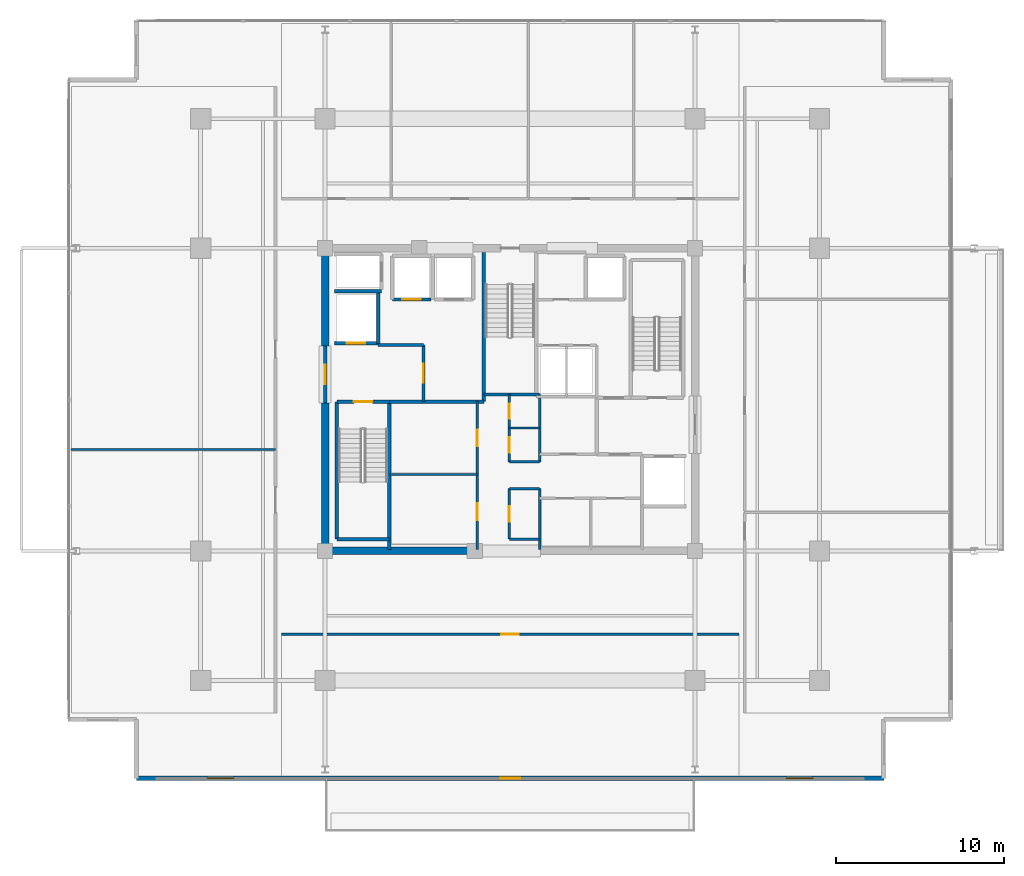
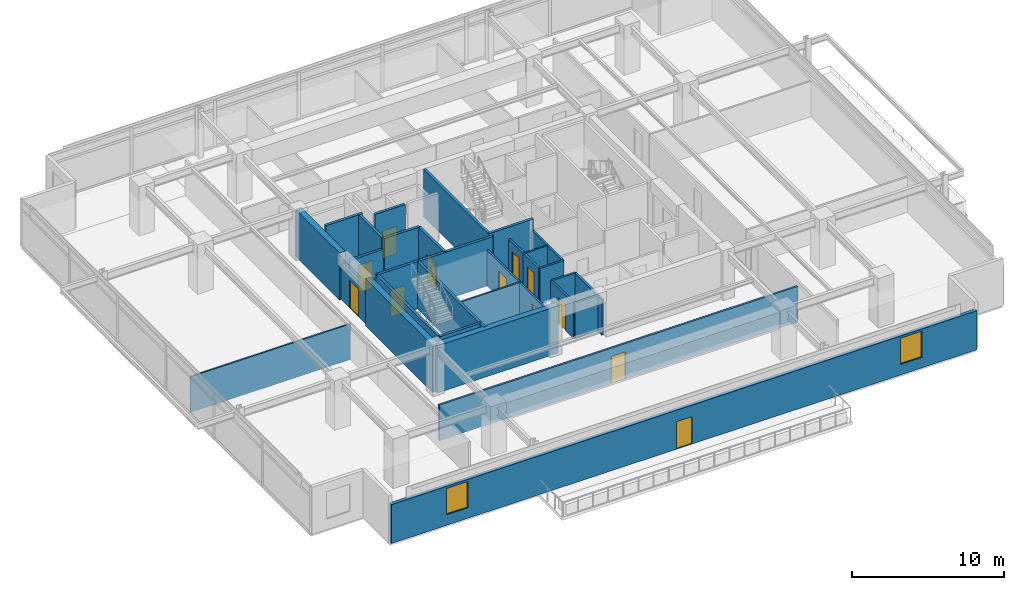
# One storey, part 16 of 23: 32 walls, 12 doors, 2 windows, 14 openings.
"""IFC4 building model written with IfcOpenShell, lengths in metres."""

from ifc_helpers import new_model, si_unit, direction, frame, frame_2d, origin, place, context, subcontext, project, spatial, rectangle, extrude, material, layer, layer_set, type_object, element, fill, save


model = new_model("IFC4")

# Units and contexts
model_context = context("Model", 3, precision=1e-05, world=origin(), true_north=direction((0.0, 1.0)))
body_context = subcontext(model_context, "Body", "Model", "MODEL_VIEW")
ifc_project = project(units=[si_unit("LENGTHUNIT", "METRE"), si_unit("AREAUNIT", "SQUARE_METRE"), si_unit("VOLUMEUNIT", "CUBIC_METRE"), si_unit("PLANEANGLEUNIT", "RADIAN"), si_unit("MASSUNIT", "GRAM", prefix="KILO")], contexts=[model_context])

# Site, building, storey
site_placement = place(None, origin())
site = spatial("IfcSite", under=ifc_project, at=site_placement, CompositionType="ELEMENT")
building_placement = place(site_placement, origin())
building = spatial("IfcBuilding", under=site, at=building_placement, Name="Kovane Verandah Tower", CompositionType="ELEMENT")
storey_placement = place(building_placement, frame((0.0, 0.0, 267.199951171875)))
storey = spatial("IfcBuildingStorey", under=building, at=storey_placement, Name="L62", CompositionType="ELEMENT", Elevation=267.199951171875)

# Walls
ifc_material_1 = material(Name="Fire-Rated Gypsum Stud Partition", Category="gypsum")
ifc_layer_1 = layer(ifc_material_1, 0.14990234375)
ifc_layer_set_1 = layer_set([ifc_layer_1], Name="Fire-Rated Gypsum Stud Partition")
wall_type_1 = type_object("IfcWallType", Name="WL-COR-150", PredefinedType="PARTITIONING", material=ifc_layer_set_1)
for number, where, z_axis, x_axis, name in (
    (1, (39.949951171875, 19.199951171875, 0.0), (0.0, 0.0, 1.0), (1.0, 0.0, 0.0), "L62 Central Core Strip South Wall"),
    (2, (39.949951171875, 22.199951171875, 0.0), (0.0, 0.0, 1.0), (1.0, 0.0, 0.0), "L62 Core Cross-Passage South Wall"),
    (3, (39.949951171875, 23.800048828125, 0.0), (0.0, 0.0, 1.0), (1.0, 0.0, 0.0), "L62 Core Cross-Passage North Wall"),
):
    element("IfcWall", number, at=place(storey_placement, frame(where, z_axis=z_axis, x_axis=x_axis)), inside=storey, type_object=wall_type_1, Name=name, PredefinedType="PARTITIONING", context=body_context, shape_type="SweptSolid", body=[
        extrude(rectangle(XDim=1.81005859375, YDim=0.14990234375, at=frame_2d((0.905029296875, 0.0))), origin(), (0.0, 0.0, 1.0), 2.85009765625),
    ])
wall_1_placement = place(storey_placement, frame((41.760009765625, 18.60009765625, 0.0), z_axis=(0.0, 0.0, 1.0), x_axis=(0.0, 1.0, 0.0)))
element("IfcWall", 4, at=wall_1_placement, inside=storey, type_object=wall_type_1, Name="L62 Central Core Strip Lower East Wall", PredefinedType="PARTITIONING", context=body_context, shape_type="SweptSolid", body=[
    extrude(rectangle(XDim=3.599853515625, YDim=0.14990234375, at=frame_2d((1.7998046875, 0.0))), origin(), (0.0, 0.0, 1.0), 2.85009765625),
])
wall_2_placement = place(storey_placement, frame((41.760009765625, 23.800048828125, 0.0), z_axis=(0.0, 0.0, 1.0), x_axis=(0.0, 1.0, 0.0)))
element("IfcWall", 5, at=wall_2_placement, inside=storey, type_object=wall_type_1, Name="L62 Central Core Strip Upper East Wall", PredefinedType="PARTITIONING", context=body_context, shape_type="SweptSolid", body=[
    extrude(rectangle(XDim=4.0, YDim=0.14990234375, at=frame_2d((2.0, 0.0))), origin(), (0.0, 0.0, 1.0), 2.85009765625),
])

# Wall, opening, door
wall_3_placement = place(storey_placement, frame((39.949951171875, 19.199951171875, 0.0), z_axis=(0.0, 0.0, 1.0), x_axis=(0.0, 1.0, 0.0)))
wall_3 = element("IfcWall", 6, at=wall_3_placement, inside=storey, type_object=wall_type_1, Name="L62 Male Toilet Partition", PredefinedType="PARTITIONING", context=body_context, shape_type="SweptSolid", body=[
    extrude(rectangle(XDim=3.0, YDim=0.14990234375, at=frame_2d((1.5, 0.0))), origin(), (0.0, 0.0, 1.0), 2.85009765625),
])
opening_1_placement = place(wall_3_placement, frame((1.050048828125, 0.0, 0.0)))
opening_1 = element("IfcOpeningElement", 7, at=opening_1_placement, cuts=wall_3, Name="Opening DR-L62-029", PredefinedType="OPENING", context=body_context, shape_type="SweptSolid", body=[
    extrude(rectangle(XDim=0.89990234375, YDim=2.10009765625, at=frame_2d((0.449951171875, 1.050048828125))), frame((0.0, 0.074951171875, 0.0), z_axis=(0.0, -1.0, 0.0), x_axis=(1.0, 0.0, 0.0)), (0.0, 0.0, 1.0), 0.14990234375),
])
ifc_material_2 = material(Name="Moisture-Resistant Laminate Washroom Door", Category="wood")
door_type_1 = type_object("IfcDoorType", Name="DR-WC-900", OperationType="SINGLE_SWING_LEFT", PredefinedType="DOOR", material=ifc_material_2)
door_1_placement = place(opening_1_placement, origin())
door_1 = element("IfcDoor", 8, at=door_1_placement, inside=storey, type_object=door_type_1, Name="L62 Male Toilet Door", OperationType="SINGLE_SWING_LEFT", OverallHeight=2.10009765625, OverallWidth=0.89990234375, PredefinedType="DOOR", context=body_context, shape_type="SweptSolid", body=[
    extrude(rectangle(XDim=0.89990234375, YDim=2.10009765625, at=frame_2d((0.449951171875, 1.050048828125))), frame((0.0, 0.02490234375, 0.0), z_axis=(0.0, -1.0, 0.0), x_axis=(1.0, 0.0, 0.0)), (0.0, 0.0, 1.0), 0.050048828125),
])
fill(opening_1, door_1)

wall_4_placement = place(storey_placement, frame((39.949951171875, 23.800048828125, 0.0), z_axis=(0.0, 0.0, 1.0), x_axis=(0.0, 1.0, 0.0)))
wall_4 = element("IfcWall", 9, at=wall_4_placement, inside=storey, type_object=wall_type_1, Name="L62 Female Toilet Partition", PredefinedType="PARTITIONING", context=body_context, shape_type="SweptSolid", body=[
    extrude(rectangle(XDim=2.0, YDim=0.14990234375, at=frame_2d((1.0, 0.0))), origin(), (0.0, 0.0, 1.0), 2.85009765625),
])
opening_2_placement = place(wall_4_placement, frame((0.550048828125, 0.0, 0.0)))
opening_2 = element("IfcOpeningElement", 10, at=opening_2_placement, cuts=wall_4, Name="Opening DR-L62-028", PredefinedType="OPENING", context=body_context, shape_type="SweptSolid", body=[
    extrude(rectangle(XDim=0.89990234375, YDim=2.10009765625, at=frame_2d((0.449951171875, 1.050048828125))), frame((0.0, 0.074951171875, 0.0), z_axis=(0.0, -1.0, 0.0), x_axis=(1.0, 0.0, 0.0)), (0.0, 0.0, 1.0), 0.14990234375),
])
door_2_placement = place(opening_2_placement, origin())
door_2 = element("IfcDoor", 11, at=door_2_placement, inside=storey, type_object=door_type_1, Name="L62 Female Toilet Door", OperationType="SINGLE_SWING_RIGHT", OverallHeight=2.10009765625, OverallWidth=0.89990234375, PredefinedType="DOOR", context=body_context, shape_type="SweptSolid", body=[
    extrude(rectangle(XDim=0.89990234375, YDim=2.10009765625, at=frame_2d((0.449951171875, 1.050048828125))), frame((0.0, 0.02490234375, 0.0), z_axis=(0.0, -1.0, 0.0), x_axis=(1.0, 0.0, 0.0)), (0.0, 0.0, 1.0), 0.050048828125),
])
fill(opening_2, door_2)

wall_5_placement = place(storey_placement, frame((39.949951171875, 25.800048828125, 0.0), z_axis=(0.0, 0.0, 1.0), x_axis=(0.0, 1.0, 0.0)))
wall_5 = element("IfcWall", 12, at=wall_5_placement, inside=storey, type_object=wall_type_1, Name="L62 Accessible Unisex Toilet Partition", PredefinedType="PARTITIONING", context=body_context, shape_type="SweptSolid", body=[
    extrude(rectangle(XDim=2.0, YDim=0.14990234375, at=frame_2d((1.0, 0.0))), origin(), (0.0, 0.0, 1.0), 2.85009765625),
])
opening_3_placement = place(wall_5_placement, frame((0.550048828125, 0.0, 0.0)))
opening_3 = element("IfcOpeningElement", 13, at=opening_3_placement, cuts=wall_5, Name="Opening DR-L62-027", PredefinedType="OPENING", context=body_context, shape_type="SweptSolid", body=[
    extrude(rectangle(XDim=0.89990234375, YDim=2.10009765625, at=frame_2d((0.449951171875, 1.050048828125))), frame((0.0, 0.074951171875, 0.0), z_axis=(0.0, -1.0, 0.0), x_axis=(1.0, 0.0, 0.0)), (0.0, 0.0, 1.0), 0.14990234375),
])
door_3_placement = place(opening_3_placement, origin())
door_3 = element("IfcDoor", 14, at=door_3_placement, inside=storey, type_object=door_type_1, Name="L62 Accessible Unisex Toilet Door", OperationType="SINGLE_SWING_LEFT", OverallHeight=2.10009765625, OverallWidth=0.89990234375, PredefinedType="DOOR", context=body_context, shape_type="SweptSolid", body=[
    extrude(rectangle(XDim=0.89990234375, YDim=2.10009765625, at=frame_2d((0.449951171875, 1.050048828125))), frame((0.0, 0.02490234375, 0.0), z_axis=(0.0, -1.0, 0.0), x_axis=(1.0, 0.0, 0.0)), (0.0, 0.0, 1.0), 0.050048828125),
])
fill(opening_3, door_3)

wall_6_placement = place(storey_placement, frame((38.050048828125, 18.60009765625, 0.0), z_axis=(0.0, 0.0, 1.0), x_axis=(0.0, 1.0, 0.0)))
wall_6 = element("IfcWall", 15, at=wall_6_placement, inside=storey, type_object=wall_type_1, Name="L62 IT Server Room Partition", PredefinedType="PARTITIONING", context=body_context, shape_type="SweptSolid", body=[
    extrude(rectangle(XDim=4.4599609375, YDim=0.14990234375, at=frame_2d((2.22998046875, 0.0))), origin(), (0.0, 0.0, 1.0), 2.85009765625),
])
opening_4_placement = place(wall_6_placement, frame((1.72998046875, 0.0, 0.0)))
opening_4 = element("IfcOpeningElement", 16, at=opening_4_placement, cuts=wall_6, Name="Opening DR-L62-014", PredefinedType="OPENING", context=body_context, shape_type="SweptSolid", body=[
    extrude(rectangle(XDim=1.0, YDim=2.14990234375, at=frame_2d((0.5, 1.074951171875))), frame((0.0, 0.074951171875, 0.0), z_axis=(0.0, -1.0, 0.0), x_axis=(1.0, 0.0, 0.0)), (0.0, 0.0, 1.0), 0.14990234375),
])
ifc_material_3 = material(Name="FSC Spotted-Gum Timber Fire-Rated Office Door", Category="wood")
door_type_2 = type_object("IfcDoorType", Name="DR-OFF-1000", OperationType="SINGLE_SWING_LEFT", PredefinedType="DOOR", material=ifc_material_3)
door_4_placement = place(opening_4_placement, origin())
door_4 = element("IfcDoor", 17, at=door_4_placement, inside=storey, type_object=door_type_2, Name="L62 IT Server Room Door", OperationType="SINGLE_SWING_RIGHT", OverallHeight=2.14990234375, OverallWidth=1.0, PredefinedType="DOOR", context=body_context, shape_type="SweptSolid", body=[
    extrude(rectangle(XDim=1.0, YDim=2.14990234375, at=frame_2d((0.5, 1.074951171875))), frame((0.0, 0.02490234375, 0.0), z_axis=(0.0, -1.0, 0.0), x_axis=(1.0, 0.0, 0.0)), (0.0, 0.0, 1.0), 0.050048828125),
])
fill(opening_4, door_4)

wall_7_placement = place(storey_placement, frame((38.050048828125, 23.06005859375, 0.0), z_axis=(0.0, 0.0, 1.0), x_axis=(0.0, 1.0, 0.0)))
wall_7 = element("IfcWall", 18, at=wall_7_placement, inside=storey, type_object=wall_type_1, Name="L62 Telecom MDF Room Partition", PredefinedType="PARTITIONING", context=body_context, shape_type="SweptSolid", body=[
    extrude(rectangle(XDim=4.31982421875, YDim=0.14990234375, at=frame_2d((2.159912109375, 0.0))), origin(), (0.0, 0.0, 1.0), 2.85009765625),
])
opening_5_placement = place(wall_7_placement, frame((1.659912109375, 0.0, 0.0)))
opening_5 = element("IfcOpeningElement", 19, at=opening_5_placement, cuts=wall_7, Name="Opening DR-L62-015", PredefinedType="OPENING", context=body_context, shape_type="SweptSolid", body=[
    extrude(rectangle(XDim=1.0, YDim=2.14990234375, at=frame_2d((0.5, 1.074951171875))), frame((0.0, 0.074951171875, 0.0), z_axis=(0.0, -1.0, 0.0), x_axis=(1.0, 0.0, 0.0)), (0.0, 0.0, 1.0), 0.14990234375),
])
door_5_placement = place(opening_5_placement, origin())
door_5 = element("IfcDoor", 20, at=door_5_placement, inside=storey, type_object=door_type_2, Name="L62 Telecom MDF Room Door", OperationType="SINGLE_SWING_LEFT", OverallHeight=2.14990234375, OverallWidth=1.0, PredefinedType="DOOR", context=body_context, shape_type="SweptSolid", body=[
    extrude(rectangle(XDim=1.0, YDim=2.14990234375, at=frame_2d((0.5, 1.074951171875))), frame((0.0, 0.02490234375, 0.0), z_axis=(0.0, -1.0, 0.0), x_axis=(1.0, 0.0, 0.0)), (0.0, 0.0, 1.0), 0.050048828125),
])
fill(opening_5, door_5)

wall_8_placement = place(storey_placement, frame((26.39990234375, 13.550048828125, 0.0), z_axis=(0.0, 0.0, 1.0), x_axis=(1.0, 0.0, 0.0)))
wall_8 = element("IfcWall", 21, at=wall_8_placement, inside=storey, type_object=wall_type_1, Name="L62 Executive Office S1 Corridor Partition", PredefinedType="PARTITIONING", context=body_context, shape_type="SweptSolid", body=[
    extrude(rectangle(XDim=27.2001953125, YDim=0.14990234375, at=frame_2d((13.60009765625, 0.0))), origin(), (0.0, 0.0, 1.0), 2.85009765625),
])
opening_6_placement = place(wall_8_placement, frame((13.074951171875, 0.0, 0.0)))
opening_6 = element("IfcOpeningElement", 22, at=opening_6_placement, cuts=wall_8, Name="Opening DR-L62-026", PredefinedType="OPENING", context=body_context, shape_type="SweptSolid", body=[
    extrude(rectangle(XDim=1.050048828125, YDim=2.199951171875, at=frame_2d((0.52490234375, 1.10009765625))), frame((0.0, 0.074951171875, 0.0), z_axis=(0.0, -1.0, 0.0), x_axis=(1.0, 0.0, 0.0)), (0.0, 0.0, 1.0), 0.14990234375),
])
ifc_material_4 = material(Name="FSC Blackbutt Timber Fire-Rated Executive Door", Category="wood")
door_type_3 = type_object("IfcDoorType", Name="DR-EXEC-1050", OperationType="SINGLE_SWING_LEFT", PredefinedType="DOOR", material=ifc_material_4)
door_6_placement = place(opening_6_placement, origin())
door_6 = element("IfcDoor", 23, at=door_6_placement, inside=storey, type_object=door_type_3, Name="L62 Executive Office S1 Entrance Door", OperationType="SINGLE_SWING_RIGHT", OverallHeight=2.199951171875, OverallWidth=1.050048828125, PredefinedType="DOOR", context=body_context, shape_type="SweptSolid", body=[
    extrude(rectangle(XDim=1.050048828125, YDim=2.199951171875, at=frame_2d((0.52490234375, 1.10009765625))), frame((0.0, 0.02490234375, 0.0), z_axis=(0.0, -1.0, 0.0), x_axis=(1.0, 0.0, 0.0)), (0.0, 0.0, 1.0), 0.050048828125),
])
fill(opening_6, door_6)

# Walls
ifc_material_5 = material(Name="Concrete C60/75", Category="concrete")
ifc_layer_2 = layer(ifc_material_5, 0.449951171875)
ifc_layer_set_2 = layer_set([ifc_layer_2], Name="Concrete C60/75")
wall_type_2 = type_object("IfcWallType", Name="WL-CORE-450", PredefinedType="SHEAR", material=ifc_layer_set_2)
wall_9_placement = place(storey_placement, frame((29.0, 18.5, 0.0), z_axis=(0.0, 0.0, 1.0), x_axis=(1.0, 0.0, 0.0)))
element("IfcWall", 24, at=wall_9_placement, inside=storey, type_object=wall_type_2, Name="L62 Core Shear Wall CS-1", PredefinedType="SHEAR", context=body_context, shape_type="SweptSolid", body=[
    extrude(rectangle(XDim=9.199951171875, YDim=0.449951171875, at=frame_2d((4.60009765625, 0.0))), origin(), (0.0, 0.0, 1.0), 3.78515625),
])
wall_10_placement = place(storey_placement, frame((29.0, 18.5, 0.0), z_axis=(0.0, 0.0, 1.0), x_axis=(0.0, 1.0, 0.0)))
element("IfcWall", 25, at=wall_10_placement, inside=storey, type_object=wall_type_2, Name="L62 Core Shear Wall CW-1", PredefinedType="SHEAR", context=body_context, shape_type="SweptSolid", body=[
    extrude(rectangle(XDim=8.800048828125, YDim=0.449951171875, at=frame_2d((4.39990234375, 0.0))), origin(), (0.0, 0.0, 1.0), 3.78515625),
])
wall_11_placement = place(storey_placement, frame((29.0, 30.699951171875, 0.0), z_axis=(0.0, 0.0, 1.0), x_axis=(0.0, 1.0, 0.0)))
element("IfcWall", 26, at=wall_11_placement, inside=storey, type_object=wall_type_2, Name="L62 Core Shear Wall CW-2", PredefinedType="SHEAR", context=body_context, shape_type="SweptSolid", body=[
    extrude(rectangle(XDim=5.800048828125, YDim=0.449951171875, at=frame_2d((2.89990234375, 0.0))), origin(), (0.0, 0.0, 1.0), 3.78515625),
])

# Wall, opening, door
ifc_material_6 = material(Name="Concrete C45/55 Fire Wall", Category="concrete")
ifc_layer_3 = layer(ifc_material_6, 0.199951171875)
ifc_layer_set_3 = layer_set([ifc_layer_3], Name="Concrete C45/55 Fire Wall")
wall_type_3 = type_object("IfcWallType", Name="WL-FFL-200", PredefinedType="PARTITIONING", material=ifc_layer_set_3)
wall_12_placement = place(storey_placement, frame((34.85009765625, 27.3798828125, 0.0), z_axis=(0.0, 0.0, 1.0), x_axis=(0.0, 1.0, 0.0)))
wall_12 = element("IfcWall", 27, at=wall_12_placement, inside=storey, type_object=wall_type_3, Name="W-L62-FFLW-E", PredefinedType="PARTITIONING", context=body_context, shape_type="SweptSolid", body=[
    extrude(rectangle(XDim=3.3701171875, YDim=0.199951171875, at=frame_2d((1.68505859375, 0.0))), origin(), (0.0, 0.0, 1.0), 3.78515625),
])
opening_7_placement = place(wall_12_placement, frame((1.110107421875, 0.0, 0.0)))
opening_7 = element("IfcOpeningElement", 28, at=opening_7_placement, cuts=wall_12, Name="Opening DR-L62-006", PredefinedType="OPENING", context=body_context, shape_type="SweptSolid", body=[
    extrude(rectangle(XDim=1.14990234375, YDim=2.199951171875, at=frame_2d((0.574951171875, 1.10009765625))), frame((0.0, 0.10009765625, 0.0), z_axis=(0.0, -1.0, 0.0), x_axis=(1.0, 0.0, 0.0)), (0.0, 0.0, 1.0), 0.199951171875),
])
ifc_material_7 = material(Name="Smoke-Sealed Firefighting Lobby Door", Category="steel")
door_type_4 = type_object("IfcDoorType", Name="DR-FFL-1150", OperationType="SINGLE_SWING_LEFT", PredefinedType="DOOR", material=ifc_material_7)
door_7_placement = place(opening_7_placement, origin())
door_7 = element("IfcDoor", 29, at=door_7_placement, inside=storey, type_object=door_type_4, Name="L62 West Firefighting Lobby Inner Door", OperationType="SINGLE_SWING_LEFT", OverallHeight=2.199951171875, OverallWidth=1.14990234375, PredefinedType="DOOR", context=body_context, shape_type="SweptSolid", body=[
    extrude(rectangle(XDim=1.14990234375, YDim=2.199951171875, at=frame_2d((0.574951171875, 1.10009765625))), frame((0.0, 0.02490234375, 0.0), z_axis=(0.0, -1.0, 0.0), x_axis=(1.0, 0.0, 0.0)), (0.0, 0.0, 1.0), 0.050048828125),
])
fill(opening_7, door_7)

wall_13_placement = place(storey_placement, frame((29.0, 27.300048828125, 0.0), z_axis=(0.0, 0.0, 1.0), x_axis=(0.0, 1.0, 0.0)))
wall_13 = element("IfcWall", 30, at=wall_13_placement, inside=storey, type_object=wall_type_3, Name="W-L62-FFLW-OUT", PredefinedType="PARTITIONING", context=body_context, shape_type="SweptSolid", body=[
    extrude(rectangle(XDim=3.39990234375, YDim=0.199951171875, at=frame_2d((1.699951171875, 0.0))), origin(), (0.0, 0.0, 1.0), 2.864990234375),
])
opening_8_placement = place(wall_13_placement, frame((1.125, 0.0, 0.0)))
opening_8 = element("IfcOpeningElement", 31, at=opening_8_placement, cuts=wall_13, Name="Opening DR-L62-007", PredefinedType="OPENING", context=body_context, shape_type="SweptSolid", body=[
    extrude(rectangle(XDim=1.14990234375, YDim=2.199951171875, at=frame_2d((0.574951171875, 1.10009765625))), frame((0.0, 0.10009765625, 0.0), z_axis=(0.0, -1.0, 0.0), x_axis=(1.0, 0.0, 0.0)), (0.0, 0.0, 1.0), 0.199951171875),
])
door_8_placement = place(opening_8_placement, origin())
door_8 = element("IfcDoor", 32, at=door_8_placement, inside=storey, type_object=door_type_4, Name="L62 West Firefighting Lobby Corridor Door", OperationType="SINGLE_SWING_RIGHT", OverallHeight=2.199951171875, OverallWidth=1.14990234375, PredefinedType="DOOR", context=body_context, shape_type="SweptSolid", body=[
    extrude(rectangle(XDim=1.14990234375, YDim=2.199951171875, at=frame_2d((0.574951171875, 1.10009765625))), frame((0.0, 0.02490234375, 0.0), z_axis=(0.0, -1.0, 0.0), x_axis=(1.0, 0.0, 0.0)), (0.0, 0.0, 1.0), 0.050048828125),
])
fill(opening_8, door_8)

# Walls
wall_14_placement = place(storey_placement, frame((32.820068359375, 27.3798828125, 0.0), z_axis=(0.0, 0.0, 1.0), x_axis=(1.0, 0.0, 0.0)))
element("IfcWall", 33, at=wall_14_placement, inside=storey, type_object=wall_type_3, Name="L62 West Firefighting Lobby South Fire Wall", PredefinedType="PARTITIONING", context=body_context, shape_type="SweptSolid", body=[
    extrude(rectangle(XDim=5.619873046875, YDim=0.199951171875, at=frame_2d((2.81005859375, 0.0))), origin(), (0.0, 0.0, 1.0), 3.78515625),
])
wall_15_placement = place(storey_placement, frame((32.14990234375, 30.75, 0.0), z_axis=(0.0, 0.0, 1.0), x_axis=(1.0, 0.0, 0.0)))
element("IfcWall", 34, at=wall_15_placement, inside=storey, type_object=wall_type_3, Name="L62 West Firefighting Lobby North Fire Wall", PredefinedType="PARTITIONING", context=body_context, shape_type="SweptSolid", body=[
    extrude(rectangle(XDim=2.7001953125, YDim=0.199951171875, at=frame_2d((1.35009765625, 0.0))), origin(), (0.0, 0.0, 1.0), 3.78515625),
])

# Wall, opening, door
ifc_material_8 = material(Name="Concrete C45/55 Lift Shaft Wall", Category="concrete")
ifc_layer_4 = layer(ifc_material_8, 0.199951171875)
ifc_layer_set_4 = layer_set([ifc_layer_4], Name="Concrete C45/55 Lift Shaft Wall")
wall_type_4 = type_object("IfcWallType", Name="WL-LIFT-200", PredefinedType="SOLIDWALL", material=ifc_layer_set_4)
wall_16_placement = place(storey_placement, frame((29.550048828125, 30.85009765625, 0.0), z_axis=(0.0, 0.0, 1.0), x_axis=(1.0, 0.0, 0.0)))
wall_16 = element("IfcWall", 35, at=wall_16_placement, inside=storey, type_object=wall_type_4, Name="L62 Lift FL-01 S Shaft Wall", PredefinedType="SOLIDWALL", context=body_context, shape_type="SweptSolid", body=[
    extrude(rectangle(XDim=2.599853515625, YDim=0.199951171875, at=frame_2d((1.2998046875, 0.0))), origin(), (0.0, 0.0, 1.0), 2.864990234375),
])
opening_9_placement = place(wall_16_placement, frame((0.75, 0.0, 0.0)))
opening_9 = element("IfcOpeningElement", 36, at=opening_9_placement, cuts=wall_16, Name="Opening LD-L62-001", PredefinedType="OPENING", context=body_context, shape_type="SweptSolid", body=[
    extrude(rectangle(XDim=1.10009765625, YDim=2.199951171875, at=frame_2d((0.550048828125, 1.10009765625))), frame((0.0, 0.10009765625, 0.0), z_axis=(0.0, -1.0, 0.0), x_axis=(1.0, 0.0, 0.0)), (0.0, 0.0, 1.0), 0.199951171875),
])
ifc_material_9 = material(Name="Brushed Stainless Steel Sliding Lift Landing Door", Category="steel")
door_type_5 = type_object("IfcDoorType", Name="DR-LIFT-1100", OperationType="SLIDING_TO_RIGHT", PredefinedType="DOOR", material=ifc_material_9)
door_9_placement = place(opening_9_placement, origin())
door_9 = element("IfcDoor", 37, at=door_9_placement, inside=storey, type_object=door_type_5, Name="L62 Lift FL-01 Sliding Landing Door", OperationType="SLIDING_TO_RIGHT", OverallHeight=2.199951171875, OverallWidth=1.10009765625, PredefinedType="DOOR", context=body_context, shape_type="SweptSolid", body=[
    extrude(rectangle(XDim=1.10009765625, YDim=2.199951171875, at=frame_2d((0.550048828125, 1.10009765625))), frame((0.0, 0.02490234375, 0.0), z_axis=(0.0, -1.0, 0.0), x_axis=(1.0, 0.0, 0.0)), (0.0, 0.0, 1.0), 0.050048828125),
])
fill(opening_9, door_9)

# Walls
wall_17_placement = place(storey_placement, frame((29.550048828125, 33.949951171875, 0.0), z_axis=(0.0, 0.0, 1.0), x_axis=(1.0, 0.0, 0.0)))
element("IfcWall", 38, at=wall_17_placement, inside=storey, type_object=wall_type_4, Name="L62 Lift FL-01 and GL-01 Shared Shaft Wall", PredefinedType="SOLIDWALL", context=body_context, shape_type="SweptSolid", body=[
    extrude(rectangle(XDim=2.800048828125, YDim=0.199951171875, at=frame_2d((1.39990234375, 0.0))), origin(), (0.0, 0.0, 1.0), 3.78515625),
])
wall_18_placement = place(storey_placement, frame((32.14990234375, 30.85009765625, 0.0), z_axis=(0.0, 0.0, 1.0), x_axis=(0.0, 1.0, 0.0)))
element("IfcWall", 39, at=wall_18_placement, inside=storey, type_object=wall_type_4, Name="L62 Lift FL-01 E Shaft Wall", PredefinedType="SOLIDWALL", context=body_context, shape_type="SweptSolid", body=[
    extrude(rectangle(XDim=3.0, YDim=0.199951171875, at=frame_2d((1.5, 0.0))), origin(), (0.0, 0.0, 1.0), 3.78515625),
])

# Wall, opening, door
wall_19_placement = place(storey_placement, frame((33.0, 33.449951171875, 0.0), z_axis=(0.0, 0.0, 1.0), x_axis=(1.0, 0.0, 0.0)))
wall_19 = element("IfcWall", 40, at=wall_19_placement, inside=storey, type_object=wall_type_4, Name="L62 Lift PL-H1 S Shaft Wall", PredefinedType="SOLIDWALL", context=body_context, shape_type="SweptSolid", body=[
    extrude(rectangle(XDim=2.300048828125, YDim=0.199951171875, at=frame_2d((1.14990234375, 0.0))), origin(), (0.0, 0.0, 1.0), 3.78515625),
])
opening_10_placement = place(wall_19_placement, frame((0.60009765625, 0.0, 0.0)))
opening_10 = element("IfcOpeningElement", 41, at=opening_10_placement, cuts=wall_19, Name="Opening LD-L62-004", PredefinedType="OPENING", context=body_context, shape_type="SweptSolid", body=[
    extrude(rectangle(XDim=1.10009765625, YDim=2.199951171875, at=frame_2d((0.550048828125, 1.10009765625))), frame((0.0, 0.10009765625, 0.0), z_axis=(0.0, -1.0, 0.0), x_axis=(1.0, 0.0, 0.0)), (0.0, 0.0, 1.0), 0.199951171875),
])
door_10_placement = place(opening_10_placement, origin())
door_10 = element("IfcDoor", 42, at=door_10_placement, inside=storey, type_object=door_type_5, Name="L62 Lift PL-H1 Sliding Landing Door", OperationType="SLIDING_TO_RIGHT", OverallHeight=2.199951171875, OverallWidth=1.10009765625, PredefinedType="DOOR", context=body_context, shape_type="SweptSolid", body=[
    extrude(rectangle(XDim=1.10009765625, YDim=2.199951171875, at=frame_2d((0.550048828125, 1.10009765625))), frame((0.0, 0.02490234375, 0.0), z_axis=(0.0, -1.0, 0.0), x_axis=(1.0, 0.0, 0.0)), (0.0, 0.0, 1.0), 0.050048828125),
])
fill(opening_10, door_10)

# Walls
ifc_material_10 = material(Name="Acoustic Fire-Rated Gypsum Partition", Category="gypsum")
ifc_layer_5 = layer(ifc_material_10, 0.1201171875)
ifc_layer_set_5 = layer_set([ifc_layer_5], Name="Acoustic Fire-Rated Gypsum Partition")
wall_type_5 = type_object("IfcWallType", Name="WL-PART-120", PredefinedType="PARTITIONING", material=ifc_layer_set_5)
wall_20_placement = place(storey_placement, frame((39.949951171875, 25.800048828125, 0.0), z_axis=(0.0, 0.0, 1.0), x_axis=(1.0, 0.0, 0.0)))
element("IfcWall", 43, at=wall_20_placement, inside=storey, type_object=wall_type_5, Name="L62 Central Core Strip Upper Dividing Partition", PredefinedType="PARTITIONING", context=body_context, shape_type="SweptSolid", body=[
    extrude(rectangle(XDim=1.81005859375, YDim=0.1201171875, at=frame_2d((0.905029296875, 0.0))), origin(), (0.0, 0.0, 1.0), 2.85009765625),
])
wall_21_placement = place(storey_placement, frame((32.820068359375, 23.06005859375, 0.0), z_axis=(0.0, 0.0, 1.0), x_axis=(1.0, 0.0, 0.0)))
element("IfcWall", 44, at=wall_21_placement, inside=storey, type_object=wall_type_5, Name="L62 Core Support Dividing Partition", PredefinedType="PARTITIONING", context=body_context, shape_type="SweptSolid", body=[
    extrude(rectangle(XDim=5.22998046875, YDim=0.1201171875, at=frame_2d((2.614990234375, 0.0))), origin(), (0.0, 0.0, 1.0), 2.85009765625),
])
wall_22_placement = place(storey_placement, frame((13.87939453125, 24.520263671875, 0.0), z_axis=(0.0, 0.0, 1.0), x_axis=(1.0, 0.0, 0.0)))
element("IfcWall", 45, at=wall_22_placement, inside=storey, type_object=wall_type_5, Name="L62 Client Boardroom W1 Dividing Partition", PredefinedType="PARTITIONING", context=body_context, shape_type="SweptSolid", body=[
    extrude(rectangle(XDim=12.170654296875, YDim=0.1201171875, at=frame_2d((6.08544921875, 0.0))), origin(), (0.0, 0.0, 1.0), 2.85009765625),
])
ifc_material_11 = material(Name="Concrete C45/55", Category="concrete")
ifc_layer_6 = layer(ifc_material_11, 0.199951171875)
ifc_layer_set_6 = layer_set([ifc_layer_6], Name="Concrete C45/55")
wall_type_6 = type_object("IfcWallType", Name="WL-SHAFT-200", PredefinedType="SOLIDWALL", material=ifc_layer_set_6)
wall_23_placement = place(storey_placement, frame((29.699951171875, 19.199951171875, 0.0), z_axis=(0.0, 0.0, 1.0), x_axis=(0.0, 1.0, 0.0)))
element("IfcWall", 46, at=wall_23_placement, inside=storey, type_object=wall_type_6, Name="W-L62-ST01-W", PredefinedType="SOLIDWALL", context=body_context, shape_type="SweptSolid", body=[
    extrude(rectangle(XDim=8.150146484375, YDim=0.199951171875, at=frame_2d((4.0751953125, 0.0))), origin(), (0.0, 0.0, 1.0), 3.78515625),
])
wall_24_placement = place(storey_placement, frame((29.699951171875, 19.199951171875, 0.0), z_axis=(0.0, 0.0, 1.0), x_axis=(1.0, 0.0, 0.0)))
element("IfcWall", 47, at=wall_24_placement, inside=storey, type_object=wall_type_6, Name="W-L62-ST01-S", PredefinedType="SOLIDWALL", context=body_context, shape_type="SweptSolid", body=[
    extrude(rectangle(XDim=3.1201171875, YDim=0.199951171875, at=frame_2d((1.56005859375, 0.0))), origin(), (0.0, 0.0, 1.0), 3.78515625),
])
wall_25_placement = place(storey_placement, frame((32.820068359375, 18.60009765625, 0.0), z_axis=(0.0, 0.0, 1.0), x_axis=(0.0, 1.0, 0.0)))
element("IfcWall", 48, at=wall_25_placement, inside=storey, type_object=wall_type_6, Name="W-L62-ST01-E", PredefinedType="SOLIDWALL", context=body_context, shape_type="SweptSolid", body=[
    extrude(rectangle(XDim=8.77978515625, YDim=0.199951171875, at=frame_2d((4.389892578125, 0.0))), origin(), (0.0, 0.0, 1.0), 3.78515625),
])

# Wall, opening, door
wall_26_placement = place(storey_placement, frame((29.699951171875, 27.3798828125, 0.0), z_axis=(0.0, 0.0, 1.0), x_axis=(1.0, 0.0, 0.0)))
wall_26 = element("IfcWall", 49, at=wall_26_placement, inside=storey, type_object=wall_type_6, Name="W-L62-ST01-N", PredefinedType="SOLIDWALL", context=body_context, shape_type="SweptSolid", body=[
    extrude(rectangle(XDim=3.1201171875, YDim=0.199951171875, at=frame_2d((1.56005859375, 0.0))), origin(), (0.0, 0.0, 1.0), 3.78515625),
])
opening_11_placement = place(wall_26_placement, frame((1.010009765625, 0.0, 0.0)))
opening_11 = element("IfcOpeningElement", 50, at=opening_11_placement, cuts=wall_26, Name="Opening DR-L62-008", PredefinedType="OPENING", context=body_context, shape_type="SweptSolid", body=[
    extrude(rectangle(XDim=1.10009765625, YDim=2.14990234375, at=frame_2d((0.550048828125, 1.074951171875))), frame((0.0, 0.10009765625, 0.0), z_axis=(0.0, -1.0, 0.0), x_axis=(1.0, 0.0, 0.0)), (0.0, 0.0, 1.0), 0.199951171875),
])
ifc_material_12 = material(Name="Fire-Rated Steel Exit Door", Category="steel")
door_type_6 = type_object("IfcDoorType", Name="DR-STAIR-1100", OperationType="SINGLE_SWING_LEFT", PredefinedType="DOOR", material=ifc_material_12)
door_11_placement = place(opening_11_placement, origin())
door_11 = element("IfcDoor", 51, at=door_11_placement, inside=storey, type_object=door_type_6, Name="L62 ST-01 Fire Exit Stair Door", OperationType="SINGLE_SWING_RIGHT", OverallHeight=2.14990234375, OverallWidth=1.10009765625, PredefinedType="DOOR", context=body_context, shape_type="SweptSolid", body=[
    extrude(rectangle(XDim=1.10009765625, YDim=2.14990234375, at=frame_2d((0.550048828125, 1.074951171875))), frame((0.0, 0.02490234375, 0.0), z_axis=(0.0, -1.0, 0.0), x_axis=(1.0, 0.0, 0.0)), (0.0, 0.0, 1.0), 0.050048828125),
])
fill(opening_11, door_11)

# Walls
wall_27_placement = place(storey_placement, frame((38.43994140625, 27.3798828125, 0.0), z_axis=(0.0, 0.0, 1.0), x_axis=(0.0, 1.0, 0.0)))
element("IfcWall", 52, at=wall_27_placement, inside=storey, type_object=wall_type_6, Name="W-L62-ST03-W", PredefinedType="SOLIDWALL", context=body_context, shape_type="SweptSolid", body=[
    extrude(rectangle(XDim=8.8701171875, YDim=0.199951171875, at=frame_2d((4.43505859375, 0.0))), origin(), (0.0, 0.0, 1.0), 3.78515625),
])
wall_28_placement = place(storey_placement, frame((38.43994140625, 27.800048828125, 0.0), z_axis=(0.0, 0.0, 1.0), x_axis=(1.0, 0.0, 0.0)))
element("IfcWall", 53, at=wall_28_placement, inside=storey, type_object=wall_type_6, Name="W-L62-ST03-S", PredefinedType="SOLIDWALL", context=body_context, shape_type="SweptSolid", body=[
    extrude(rectangle(XDim=3.320068359375, YDim=0.199951171875, at=frame_2d((1.66015625, 0.0))), origin(), (0.0, 0.0, 1.0), 3.78515625),
])

# Wall, openings, door, windows
ifc_material_13 = material(Name="Concrete C45/55 Insulated Spandrel Wall", Category="concrete")
ifc_layer_7 = layer(ifc_material_13, 0.260009765625)
ifc_layer_set_7 = layer_set([ifc_layer_7], Name="Concrete C45/55 Insulated Spandrel Wall")
wall_type_7 = type_object("IfcWallType", Name="WL-SPANDREL-260", PredefinedType="PARAPET", material=ifc_layer_set_7)
wall_29_placement = place(storey_placement, frame((17.779296875, 4.9765625, 0.0), z_axis=(0.0, 0.0, 1.0), x_axis=(1.0, 0.0, 0.0)))
wall_29 = element("IfcWall", 54, at=wall_29_placement, inside=storey, type_object=wall_type_7, Name="L62 S Verandah Access Facade Wall", PredefinedType="PARAPET", context=body_context, shape_type="SweptSolid", body=[
    extrude(rectangle(XDim=44.44140625, YDim=0.260009765625, at=frame_2d((22.220703125, 0.0))), origin(), (0.0, 0.0, 1.0), 3.122802734375),
])
opening_12_placement = place(wall_29_placement, frame((4.199951171875, 0.0, 0.85009765625)))
opening_12 = element("IfcOpeningElement", 55, at=opening_12_placement, cuts=wall_29, Name="Opening W-02", PredefinedType="OPENING", context=body_context, shape_type="SweptSolid", body=[
    extrude(rectangle(XDim=1.60009765625, YDim=2.10009765625, at=frame_2d((0.800048828125, 1.050048828125))), frame((0.0, 0.1298828125, 0.0), z_axis=(0.0, -1.0, 0.0), x_axis=(1.0, 0.0, 0.0)), (0.0, 0.0, 1.0), 0.260009765625),
])
opening_13_placement = place(wall_29_placement, frame((21.62060546875, 0.0, 0.0)))
opening_13 = element("IfcOpeningElement", 56, at=opening_13_placement, cuts=wall_29, Name="Opening DR-L62-002", PredefinedType="OPENING", context=body_context, shape_type="SweptSolid", body=[
    extrude(rectangle(XDim=1.199951171875, YDim=2.199951171875, at=frame_2d((0.60009765625, 1.10009765625))), frame((0.0, 0.1298828125, 0.0), z_axis=(0.0, -1.0, 0.0), x_axis=(1.0, 0.0, 0.0)), (0.0, 0.0, 1.0), 0.260009765625),
])
opening_14_placement = place(wall_29_placement, frame((38.64111328125, 0.0, 0.85009765625)))
opening_14 = element("IfcOpeningElement", 57, at=opening_14_placement, cuts=wall_29, Name="Opening W-02", PredefinedType="OPENING", context=body_context, shape_type="SweptSolid", body=[
    extrude(rectangle(XDim=1.60009765625, YDim=2.10009765625, at=frame_2d((0.800048828125, 1.050048828125))), frame((0.0, 0.1298828125, 0.0), z_axis=(0.0, -1.0, 0.0), x_axis=(1.0, 0.0, 0.0)), (0.0, 0.0, 1.0), 0.260009765625),
])
ifc_material_14 = material(Name="Cyclone-Rated Glazed Balcony Leaf Door", Category="aluminium")
door_type_7 = type_object("IfcDoorType", Name="DR-BAL-1200x2200", OperationType="SINGLE_SWING_LEFT", PredefinedType="DOOR", material=ifc_material_14)
door_12_placement = place(opening_13_placement, origin())
door_12 = element("IfcDoor", 58, at=door_12_placement, inside=storey, type_object=door_type_7, Name="L62 S Planted Balcony Access Door", OperationType="SINGLE_SWING_LEFT", OverallHeight=2.199951171875, OverallWidth=1.199951171875, PredefinedType="DOOR", context=body_context, shape_type="SweptSolid", body=[
    extrude(rectangle(XDim=1.199951171875, YDim=2.199951171875, at=frame_2d((0.60009765625, 1.10009765625))), frame((0.0, 0.02490234375, 0.0), z_axis=(0.0, -1.0, 0.0), x_axis=(1.0, 0.0, 0.0)), (0.0, 0.0, 1.0), 0.050048828125),
])
fill(opening_13, door_12)
ifc_material_15 = material(Name="Clear Low-E Laminated Double Glazing in Anodised Frame", Category="glass")
window_type = type_object("IfcWindowType", Name="WN-OPER-1600x2100", PartitioningType="SINGLE_PANEL", PredefinedType="WINDOW", material=ifc_material_15)
window_1_placement = place(opening_12_placement, origin())
window_1 = element("IfcWindow", 59, at=window_1_placement, inside=storey, type_object=window_type, Name="L62 S Verandah View Window 1", OverallHeight=2.10009765625, OverallWidth=1.60009765625, PartitioningType="SINGLE_PANEL", PredefinedType="WINDOW", context=body_context, shape_type="SweptSolid", body=[
    extrude(rectangle(XDim=1.60009765625, YDim=2.10009765625, at=frame_2d((0.800048828125, 1.050048828125))), frame((0.0, 0.030029296875, 0.0), z_axis=(0.0, -1.0, 0.0), x_axis=(1.0, 0.0, 0.0)), (0.0, 0.0, 1.0), 0.06005859375),
])
fill(opening_12, window_1)
window_2_placement = place(opening_14_placement, origin())
window_2 = element("IfcWindow", 60, at=window_2_placement, inside=storey, type_object=window_type, Name="L62 S Verandah View Window 2", OverallHeight=2.10009765625, OverallWidth=1.60009765625, PartitioningType="SINGLE_PANEL", PredefinedType="WINDOW", context=body_context, shape_type="SweptSolid", body=[
    extrude(rectangle(XDim=1.60009765625, YDim=2.10009765625, at=frame_2d((0.800048828125, 1.050048828125))), frame((0.0, 0.030029296875, 0.0), z_axis=(0.0, -1.0, 0.0), x_axis=(1.0, 0.0, 0.0)), (0.0, 0.0, 1.0), 0.06005859375),
])
fill(opening_14, window_2)

save(model, "model.ifc")
